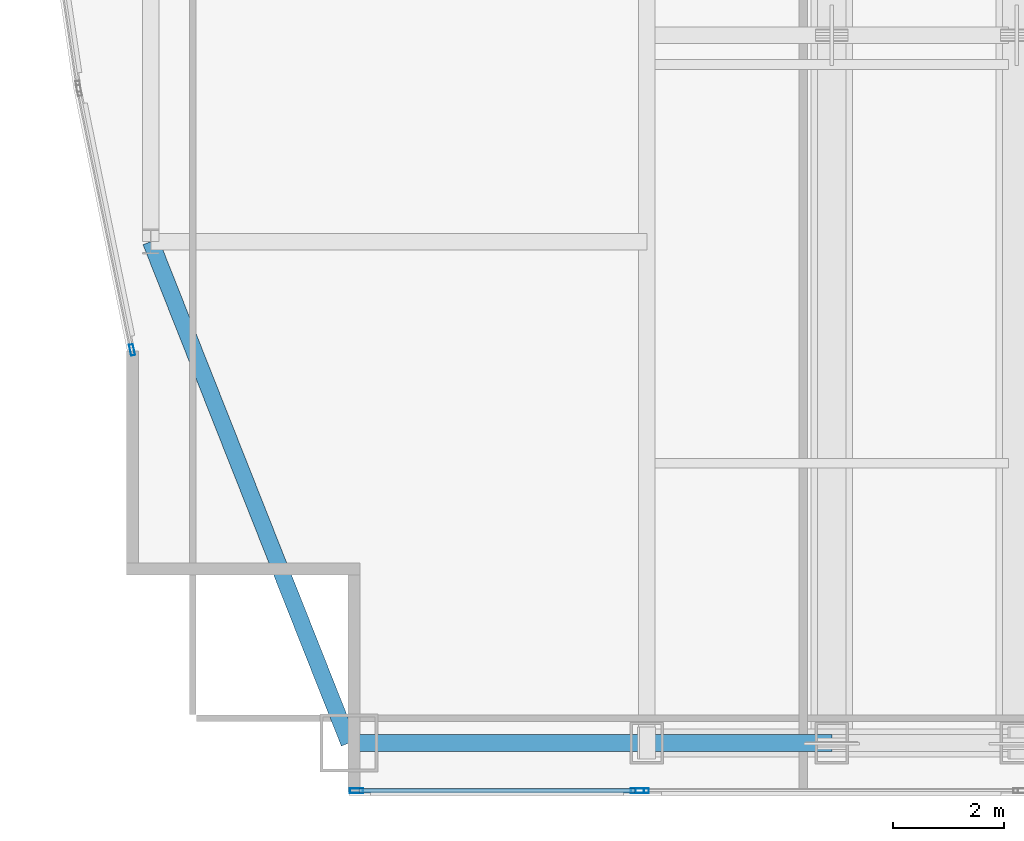
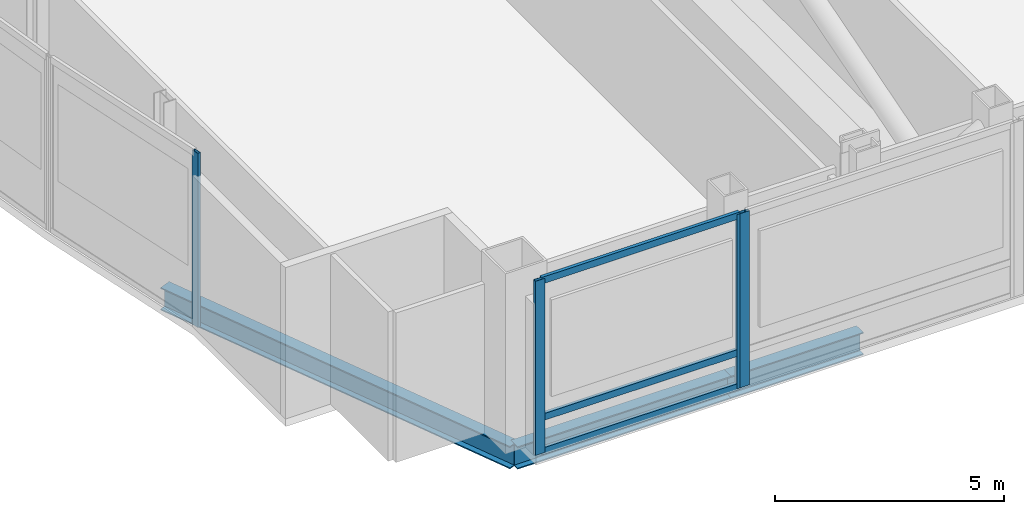
# One storey, part 5 of 32: 7 members, 3 beams, 3 elements without a shape of their own.
"""IFC4 building model written with IfcOpenShell, lengths in metres."""

from ifc_helpers import new_model, si_unit, direction, frame, origin, origin_2d, place, context, subcontext, project, spatial, hollow_rectangle, i_section, extrude, material, material_profile, profile_set, type_object, element, aggregate, save


model = new_model("IFC4")

# Units and contexts
model_context = context("Model", 3, precision=1e-05, world=origin(), true_north=direction((0.0, 1.0)))
body_context = subcontext(model_context, "Body", "Model", "MODEL_VIEW")
ifc_project = project(units=[si_unit("LENGTHUNIT", "METRE"), si_unit("AREAUNIT", "SQUARE_METRE"), si_unit("VOLUMEUNIT", "CUBIC_METRE"), si_unit("PLANEANGLEUNIT", "RADIAN"), si_unit("MASSUNIT", "GRAM", prefix="KILO")], contexts=[model_context])

# Site, building, storey
site_placement = place(None, origin())
site = spatial("IfcSite", under=ifc_project, at=site_placement, CompositionType="ELEMENT")
building_placement = place(site_placement, origin())
building = spatial("IfcBuilding", under=site, at=building_placement, Name="Khoronbel Lancet Exchange", CompositionType="ELEMENT")
storey_placement = place(building_placement, frame((0.0, 0.0, 257.0)))
storey = spatial("IfcBuildingStorey", under=building, at=storey_placement, Name="L66", CompositionType="ELEMENT", Elevation=257.0)

# Beams
ifc_material_1 = material(Name="Steel S355", Category="steel")
ifc_material_profile_1 = material_profile(ifc_material_1, i_section(OverallWidth=0.300048828125, OverallDepth=0.60009765625, WebThickness=0.015380859375, FlangeThickness=0.030029296875, at=origin_2d()), Name="HEB 600")
ifc_profile_set_1 = profile_set([ifc_material_profile_1], Name="Steel S355")
beam_type = type_object("IfcBeamType", Name="BM-BSP2", PredefinedType="SPANDREL", material=ifc_profile_set_1)
beam_1_placement = place(storey_placement, frame((12.85009765625, 10.14990234375, -0.52001953125), z_axis=(1.0, 0.0, 0.0), x_axis=(0.0, 1.0, 0.0)))
element("IfcBeam", 1, at=beam_1_placement, inside=storey, type_object=beam_type, Name="Level L66 perimeter spandrel beam SP01", PredefinedType="SPANDREL", context=body_context, shape_type="SweptSolid", body=[
    extrude(i_section(OverallWidth=0.300048828125, OverallDepth=0.60009765625, WebThickness=0.015380859375, FlangeThickness=0.030029296875, at=origin_2d()), origin(), (0.0, 0.0, 1.0), 5.375),
])
beam_2_placement = place(storey_placement, frame((18.22509765625, 10.14990234375, -0.52001953125), z_axis=(1.0, 0.0, 0.0), x_axis=(0.0, 1.0, 0.0)))
element("IfcBeam", 2, at=beam_2_placement, inside=storey, type_object=beam_type, Name="Level L66 perimeter spandrel beam SP02", PredefinedType="SPANDREL", context=body_context, shape_type="SweptSolid", body=[
    extrude(i_section(OverallWidth=0.300048828125, OverallDepth=0.60009765625, WebThickness=0.015380859375, FlangeThickness=0.030029296875, at=origin_2d()), origin(), (0.0, 0.0, 1.0), 3.33740234375),
])
beam_3_placement = place(storey_placement, frame((9.27001953125, 19.199951171875, -0.52001953125), z_axis=(0.367850095026, -0.92988510451, 0.0), x_axis=(0.92988510451, 0.367850095026, 0.0)))
element("IfcBeam", 3, at=beam_3_placement, inside=storey, type_object=beam_type, Name="Level L66 perimeter spandrel beam SP21", PredefinedType="SPANDREL", context=body_context, shape_type="SweptSolid", body=[
    extrude(i_section(OverallWidth=0.300048828125, OverallDepth=0.60009765625, WebThickness=0.015380859375, FlangeThickness=0.030029296875, at=origin_2d()), origin(), (0.0, 0.0, 1.0), 9.732421875),
])

# Curtain wall, members
ifc_material_2 = material(Name="Low-E Solar Control Insulating Glass", Category="glass")
curtain_wall_type_1 = type_object("IfcCurtainWallType", Name="CW-3", PredefinedType="NOTDEFINED", material=ifc_material_2)
curtain_wall_1_placement = place(storey_placement, origin())
curtain_wall_1 = element("IfcCurtainWall", 4, at=curtain_wall_1_placement, inside=storey, type_object=curtain_wall_type_1, Name="Unitised curtain wall CW-L66-SWV", PredefinedType="NOTDEFINED")
ifc_material_3 = material(Name="Bronze-Anodised Aluminium 6063-T6", Category="aluminium")
ifc_material_profile_2 = material_profile(ifc_material_3, hollow_rectangle(XDim=0.0849609375, YDim=0.239990234375, WallThickness=0.006103515625, at=origin_2d()), Name="ALU MULLION 85x240")
ifc_profile_set_2 = profile_set([ifc_material_profile_2], Name="Bronze-Anodised Aluminium 6063-T6")
member_type_1 = type_object("IfcMemberType", Name="MEM-CWM1", PredefinedType="MULLION", material=ifc_profile_set_2)
member_1_placement = place(storey_placement, frame((12.982421875, 9.2900390625, 0.0), z_axis=(0.0, 0.0, 1.0), x_axis=(0.0, 1.0, 0.0)))
member_1 = element("IfcMember", 5, at=member_1_placement, type_object=member_type_1, Name="CW3 mullion 1", PredefinedType="MULLION", context=body_context, shape_type="SweptSolid", body=[
    extrude(hollow_rectangle(XDim=0.0849609375, YDim=0.239990234375, WallThickness=0.006103515625, at=origin_2d()), origin(), (0.0, 0.0, 1.0), 4.639892578125),
])
member_2_placement = place(storey_placement, frame((18.0576171875, 9.2900390625, 0.0), z_axis=(0.0, 0.0, 1.0), x_axis=(0.0, 1.0, 0.0)))
member_2 = element("IfcMember", 6, at=member_2_placement, type_object=member_type_1, Name="CW3 mullion 2", PredefinedType="MULLION", context=body_context, shape_type="SweptSolid", body=[
    extrude(hollow_rectangle(XDim=0.0849609375, YDim=0.239990234375, WallThickness=0.006103515625, at=origin_2d()), origin(), (0.0, 0.0, 1.0), 4.639892578125),
])

# Curtain wall, member
curtain_wall_2_placement = place(storey_placement, origin())
curtain_wall_2 = element("IfcCurtainWall", 7, at=curtain_wall_2_placement, inside=storey, type_object=curtain_wall_type_1, Name="Unitised curtain wall CW-L66-SWB", PredefinedType="NOTDEFINED")
member_3_placement = place(storey_placement, frame((18.142578125, 9.2900390625, 0.0), z_axis=(0.0, 0.0, 1.0), x_axis=(0.0, 1.0, 0.0)))
member_3 = element("IfcMember", 8, at=member_3_placement, type_object=member_type_1, Name="CW3 mullion 1", PredefinedType="MULLION", context=body_context, shape_type="SweptSolid", body=[
    extrude(hollow_rectangle(XDim=0.0849609375, YDim=0.239990234375, WallThickness=0.006103515625, at=origin_2d()), origin(), (0.0, 0.0, 1.0), 4.639892578125),
])
aggregate(curtain_wall_2, [member_3])

curtain_wall_type_2 = type_object("IfcCurtainWallType", Name="CW-4", PredefinedType="NOTDEFINED", material=ifc_material_2)
curtain_wall_3_placement = place(storey_placement, origin())
curtain_wall_3 = element("IfcCurtainWall", 9, at=curtain_wall_3_placement, inside=storey, type_object=curtain_wall_type_2, Name="Unitised curtain wall CW-L66-E04", PredefinedType="NOTDEFINED")
ifc_material_profile_3 = material_profile(ifc_material_3, hollow_rectangle(XDim=0.074951171875, YDim=0.199951171875, WallThickness=0.0048828125, at=origin_2d()), Name="ALU MULLION 75x200")
ifc_profile_set_3 = profile_set([ifc_material_profile_3], Name="Bronze-Anodised Aluminium 6063-T6")
member_type_2 = type_object("IfcMemberType", Name="MEM-CWM2", PredefinedType="MULLION", material=ifc_profile_set_3)
member_4_placement = place(storey_placement, frame((8.9326171875, 17.245849609375, 0.0), z_axis=(0.0, 0.0, 1.0), x_axis=(-0.979785276195, -0.200052024611, 0.0)))
member_4 = element("IfcMember", 10, at=member_4_placement, type_object=member_type_2, Name="CW4 mullion 1", PredefinedType="MULLION", context=body_context, shape_type="SweptSolid", body=[
    extrude(hollow_rectangle(XDim=0.074951171875, YDim=0.199951171875, WallThickness=0.0048828125, at=origin_2d()), origin(), (0.0, 0.0, 1.0), 4.639892578125),
])
aggregate(curtain_wall_3, [member_4])

# Member
ifc_material_profile_4 = material_profile(ifc_material_3, hollow_rectangle(XDim=0.0849609375, YDim=0.179931640625, WallThickness=0.0048828125, at=origin_2d()), Name="ALU TRANSOM 85x180")
ifc_profile_set_4 = profile_set([ifc_material_profile_4], Name="Bronze-Anodised Aluminium 6063-T6")
member_type_3 = type_object("IfcMemberType", Name="MEM-CWT1", PredefinedType="USERDEFINED", material=ifc_profile_set_4)
member_5_placement = place(storey_placement, frame((13.02490234375, 9.2900390625, 0.04248046875), z_axis=(1.0, 0.0, 0.0), x_axis=(0.0, 1.0, 0.0)))
member_5 = element("IfcMember", 11, at=member_5_placement, type_object=member_type_3, Name="CW3 transom 1.1", ObjectType="TRANSOM", PredefinedType="USERDEFINED", context=body_context, shape_type="SweptSolid", body=[
    extrude(hollow_rectangle(XDim=0.0849609375, YDim=0.179931640625, WallThickness=0.0048828125, at=origin_2d()), origin(), (0.0, 0.0, 1.0), 4.989990234375),
])

member_6_placement = place(storey_placement, frame((13.02490234375, 9.2900390625, 0.949951171875), z_axis=(1.0, 0.0, 0.0), x_axis=(0.0, 1.0, 0.0)))
member_6 = element("IfcMember", 12, at=member_6_placement, type_object=member_type_3, Name="CW3 transom 1.2", ObjectType="TRANSOM", PredefinedType="USERDEFINED", context=body_context, shape_type="SweptSolid", body=[
    extrude(hollow_rectangle(XDim=0.0849609375, YDim=0.179931640625, WallThickness=0.0048828125, at=origin_2d()), origin(), (0.0, 0.0, 1.0), 4.989990234375),
])

member_7_placement = place(storey_placement, frame((13.02490234375, 9.2900390625, 4.597412109375), z_axis=(1.0, 0.0, 0.0), x_axis=(0.0, 1.0, 0.0)))
member_7 = element("IfcMember", 13, at=member_7_placement, type_object=member_type_3, Name="CW3 transom 1.3", ObjectType="TRANSOM", PredefinedType="USERDEFINED", context=body_context, shape_type="SweptSolid", body=[
    extrude(hollow_rectangle(XDim=0.0849609375, YDim=0.179931640625, WallThickness=0.0048828125, at=origin_2d()), origin(), (0.0, 0.0, 1.0), 4.989990234375),
])

aggregate(curtain_wall_1, [member_1, member_2, member_5, member_6, member_7])

save(model, "model.ifc")
